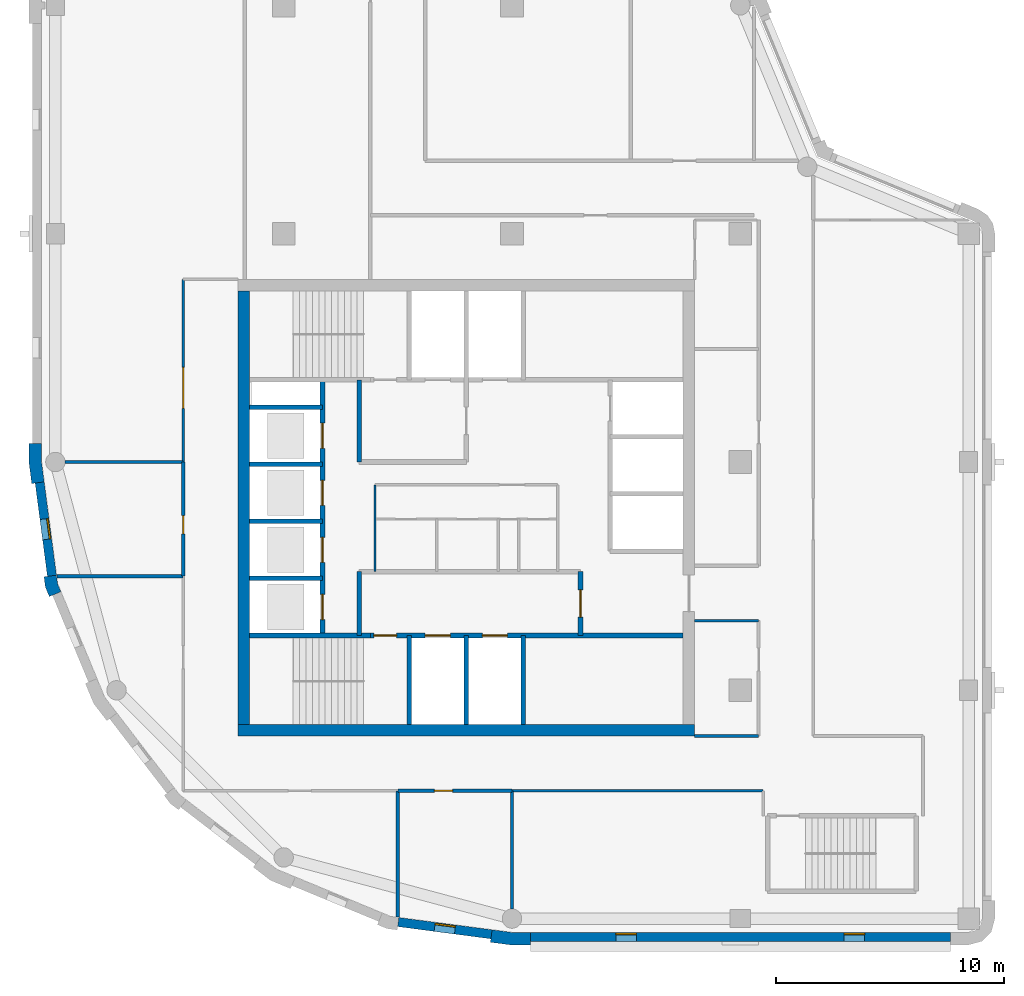
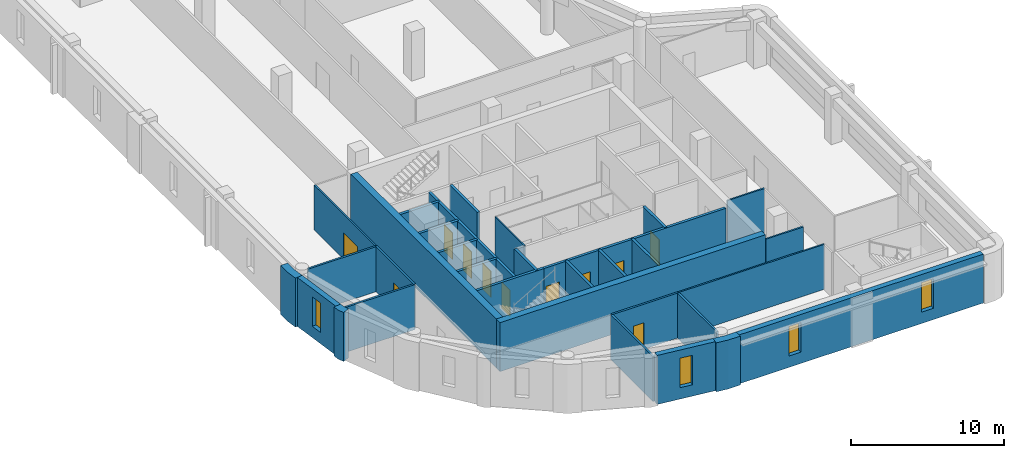
# One storey, part 2 of 8: 32 walls, 11 doors, 4 windows, 15 openings.
"""IFC4 building model written with IfcOpenShell, lengths in metres."""

from ifc_helpers import new_model, si_unit, direction, frame, frame_2d, origin, place, context, subcontext, project, spatial, polyline, rectangle, outline, extrude, material, layer, layer_set, type_object, element, fill, save


model = new_model("IFC4")

# Units and contexts
model_context = context("Model", 3, precision=1e-05, world=origin(), true_north=direction((0.0, 1.0)))
body_context = subcontext(model_context, "Body", "Model", "MODEL_VIEW")
ifc_project = project(units=[si_unit("LENGTHUNIT", "METRE"), si_unit("AREAUNIT", "SQUARE_METRE"), si_unit("VOLUMEUNIT", "CUBIC_METRE"), si_unit("PLANEANGLEUNIT", "RADIAN"), si_unit("MASSUNIT", "GRAM", prefix="KILO")], contexts=[model_context])

# Site, building, storey
site_placement = place(None, origin())
site = spatial("IfcSite", under=ifc_project, at=site_placement, CompositionType="ELEMENT")
building_placement = place(site_placement, origin())
building = spatial("IfcBuilding", under=site, at=building_placement, Name="Qaws Garden Tower", CompositionType="ELEMENT")
storey_placement = place(building_placement, frame((0.0, 0.0, 309.89990234375)))
storey = spatial("IfcBuildingStorey", under=building, at=storey_placement, Name="L75", CompositionType="ELEMENT", Elevation=309.89990234375)

# Wall, openings, windows
ifc_material_1 = material(Name="Buff clay facing brick masonry", Category="masonry")
ifc_layer_1 = layer(ifc_material_1, 0.39990234375)
ifc_layer_set_1 = layer_set([ifc_layer_1], Name="Buff clay facing brick masonry")
wall_type_1 = type_object("IfcWallType", Name="Buff brick infill wall 400", PredefinedType="SOLIDWALL", material=ifc_layer_set_1)
wall_1_placement = place(storey_placement, frame((20.800048828125, -0.800048828125, 0.0), z_axis=(0.0, 0.0, 1.0), x_axis=(1.0, 0.0, 0.0)))
wall_1 = element("IfcWall", 1, at=wall_1_placement, inside=storey, type_object=wall_type_1, Name="E-L75-infill-00", PredefinedType="SOLIDWALL", context=body_context, shape_type="SweptSolid", body=[
    extrude(rectangle(XDim=18.39990234375, YDim=0.39990234375, at=frame_2d((9.199951171875, 0.0))), origin(), (0.0, 0.0, 1.0), 3.900146484375),
])
opening_1_placement = place(wall_1_placement, frame((3.75, 0.0, 0.89990234375)))
opening_1 = element("IfcOpeningElement", 2, at=opening_1_placement, cuts=wall_1, Name="Opening W09", PredefinedType="OPENING", context=body_context, shape_type="SweptSolid", body=[
    extrude(rectangle(XDim=0.89990234375, YDim=2.35009765625, at=frame_2d((0.449951171875, 1.175048828125))), frame((0.0, 0.2099609375, 0.0), z_axis=(0.0, -1.0, 0.0), x_axis=(1.0, 0.0, 0.0)), (0.0, 0.0, 1.0), 0.419921875),
])
opening_2_placement = place(wall_1_placement, frame((13.75, 0.0, 0.89990234375)))
opening_2 = element("IfcOpeningElement", 3, at=opening_2_placement, cuts=wall_1, Name="Opening W09", PredefinedType="OPENING", context=body_context, shape_type="SweptSolid", body=[
    extrude(rectangle(XDim=0.89990234375, YDim=2.35009765625, at=frame_2d((0.449951171875, 1.175048828125))), frame((0.0, 0.2099609375, 0.0), z_axis=(0.0, -1.0, 0.0), x_axis=(1.0, 0.0, 0.0)), (0.0, 0.0, 1.0), 0.419921875),
])
ifc_material_2 = material(Name="Aluminium framed window, clear glazing", Category="aluminium")
window_type = type_object("IfcWindowType", Name="Slit window 900 x 2350", PartitioningType="SINGLE_PANEL", PredefinedType="WINDOW", material=ifc_material_2)
window_1_placement = place(opening_1_placement, origin())
window_1 = element("IfcWindow", 4, at=window_1_placement, inside=storey, type_object=window_type, Name="E-L75-window-00-0", OverallHeight=2.35009765625, OverallWidth=0.89990234375, PartitioningType="SINGLE_PANEL", PredefinedType="WINDOW", context=body_context, shape_type="SweptSolid", body=[
    extrude(rectangle(XDim=0.89990234375, YDim=2.35009765625, at=frame_2d((0.449951171875, 1.175048828125))), frame((0.0, 0.159912109375, 0.0), z_axis=(0.0, -1.0, 0.0), x_axis=(1.0, 0.0, 0.0)), (0.0, 0.0, 1.0), 0.06005859375),
])
fill(opening_1, window_1)
window_2_placement = place(opening_2_placement, origin())
window_2 = element("IfcWindow", 5, at=window_2_placement, inside=storey, type_object=window_type, Name="E-L75-window-01-0", OverallHeight=2.35009765625, OverallWidth=0.89990234375, PartitioningType="SINGLE_PANEL", PredefinedType="WINDOW", context=body_context, shape_type="SweptSolid", body=[
    extrude(rectangle(XDim=0.89990234375, YDim=2.35009765625, at=frame_2d((0.449951171875, 1.175048828125))), frame((0.0, 0.159912109375, 0.0), z_axis=(0.0, -1.0, 0.0), x_axis=(1.0, 0.0, 0.0)), (0.0, 0.0, 1.0), 0.06005859375),
])
fill(opening_2, window_2)

# Wall, opening, window
wall_2_placement = place(storey_placement, frame((-0.688720703125, 19.102294921875, 0.0), z_axis=(0.0, 0.0, 1.0), x_axis=(0.130514280502, -0.991446429508, 0.0)))
wall_2 = element("IfcWall", 6, at=wall_2_placement, inside=storey, type_object=wall_type_1, Name="E-L75-infill-21", PredefinedType="SOLIDWALL", context=body_context, shape_type="SweptSolid", body=[
    extrude(rectangle(XDim=4.120849609375, YDim=0.39990234375, at=frame_2d((2.060546875, 0.0))), origin(), (0.0, 0.0, 1.0), 3.900146484375),
])
opening_3_placement = place(wall_2_placement, frame((1.610595703125, 0.0, 0.89990234375)))
opening_3 = element("IfcOpeningElement", 7, at=opening_3_placement, cuts=wall_2, Name="Opening W09", PredefinedType="OPENING", context=body_context, shape_type="SweptSolid", body=[
    extrude(rectangle(XDim=0.89990234375, YDim=2.35009765625, at=frame_2d((0.449951171875, 1.175048828125))), frame((0.0, 0.2099609375, 0.0), z_axis=(0.0, -1.0, 0.0), x_axis=(1.0, 0.0, 0.0)), (0.0, 0.0, 1.0), 0.419921875),
])
window_3_placement = place(opening_3_placement, origin())
window_3 = element("IfcWindow", 8, at=window_3_placement, inside=storey, type_object=window_type, Name="E-L75-window-21-0", OverallHeight=2.35009765625, OverallWidth=0.89990234375, PartitioningType="SINGLE_PANEL", PredefinedType="WINDOW", context=body_context, shape_type="SweptSolid", body=[
    extrude(rectangle(XDim=0.89990234375, YDim=2.35009765625, at=frame_2d((0.449951171875, 1.175048828125))), frame((0.0, 0.159912109375, 0.0), z_axis=(0.0, -1.0, 0.0), x_axis=(1.0, 0.0, 0.0)), (0.0, 0.0, 1.0), 0.06005859375),
])
fill(opening_3, window_3)

wall_3_placement = place(storey_placement, frame((15.0166015625, -0.15087890625, 0.0), z_axis=(0.0, 0.0, 1.0), x_axis=(0.991446429508, -0.130514280502, 0.0)))
wall_3 = element("IfcWall", 9, at=wall_3_placement, inside=storey, type_object=wall_type_1, Name="E-L75-infill-26", PredefinedType="SOLIDWALL", context=body_context, shape_type="SweptSolid", body=[
    extrude(rectangle(XDim=4.120849609375, YDim=0.39990234375, at=frame_2d((2.060546875, 0.0))), origin(), (0.0, 0.0, 1.0), 3.900146484375),
])
opening_4_placement = place(wall_3_placement, frame((1.610595703125, 0.0, 0.89990234375)))
opening_4 = element("IfcOpeningElement", 10, at=opening_4_placement, cuts=wall_3, Name="Opening W09", PredefinedType="OPENING", context=body_context, shape_type="SweptSolid", body=[
    extrude(rectangle(XDim=0.89990234375, YDim=2.35009765625, at=frame_2d((0.449951171875, 1.175048828125))), frame((0.0, 0.2099609375, 0.0), z_axis=(0.0, -1.0, 0.0), x_axis=(1.0, 0.0, 0.0)), (0.0, 0.0, 1.0), 0.419921875),
])
window_4_placement = place(opening_4_placement, origin())
window_4 = element("IfcWindow", 11, at=window_4_placement, inside=storey, type_object=window_type, Name="E-L75-window-26-0", OverallHeight=2.35009765625, OverallWidth=0.89990234375, PartitioningType="SINGLE_PANEL", PredefinedType="WINDOW", context=body_context, shape_type="SweptSolid", body=[
    extrude(rectangle(XDim=0.89990234375, YDim=2.35009765625, at=frame_2d((0.449951171875, 1.175048828125))), frame((0.0, 0.159912109375, 0.0), z_axis=(0.0, -1.0, 0.0), x_axis=(1.0, 0.0, 0.0)), (0.0, 0.0, 1.0), 0.06005859375),
])
fill(opening_4, window_4)

# Walls
ifc_material_3 = material(Name="Buff clay facing brick masonry", Category="masonry")
ifc_layer_2 = layer(ifc_material_3, 0.550048828125)
ifc_layer_set_2 = layer_set([ifc_layer_2], Name="Buff clay facing brick masonry")
wall_type_2 = type_object("IfcWallType", Name="Buff brick kink pier 550 x 600", PredefinedType="SOLIDWALL", material=ifc_layer_set_2)
placement = place(storey_placement, origin())
element("IfcWall", 12, at=placement, inside=storey, type_object=wall_type_2, Name="E-L75-pier-22", PredefinedType="SOLIDWALL", context=body_context, shape_type="SweptSolid", body=[
    extrude(outline(polyline([(-0.34912109375, 14.990478515625), (-0.497802734375, 14.970947265625), (-0.43896484375, 14.5234375), (-0.26611328125, 14.1064453125), (-0.127685546875, 14.163818359375), (0.241943359375, 14.31689453125), (0.096923828125, 14.6669921875), (0.04736328125, 15.042724609375), (-0.34912109375, 14.990478515625)])), origin(), (0.0, 0.0, 1.0), 3.900146484375),
])
ifc_material_4 = material(Name="Buff clay facing brick masonry", Category="masonry")
ifc_layer_3 = layer(ifc_material_4, 0.550048828125)
ifc_layer_set_3 = layer_set([ifc_layer_3], Name="Buff clay facing brick masonry")
wall_type_3 = type_object("IfcWallType", Name="Buff brick pier 550 x 1600", PredefinedType="SOLIDWALL", material=ifc_layer_set_3)
element("IfcWall", 13, at=placement, inside=storey, type_object=wall_type_3, Name="E-L75-pier-00", PredefinedType="SOLIDWALL", context=body_context, shape_type="SweptSolid", body=[
    extrude(outline(polyline([(19.076416015625, -0.886962890625), (19.056640625, -1.03564453125), (19.924560546875, -1.14990234375), (20.800048828125, -1.14990234375), (20.800048828125, -1.0), (20.800048828125, -0.60009765625), (19.960693359375, -0.60009765625), (19.12841796875, -0.490478515625), (19.076416015625, -0.886962890625)])), origin(), (0.0, 0.0, 1.0), 3.900146484375),
])
element("IfcWall", 14, at=placement, inside=storey, type_object=wall_type_3, Name="E-L75-pier-21", PredefinedType="SOLIDWALL", context=body_context, shape_type="SweptSolid", body=[
    extrude(outline(polyline([(-1.0, 20.800048828125), (-1.14990234375, 20.800048828125), (-1.14990234375, 19.924560546875), (-1.03564453125, 19.056640625), (-0.886962890625, 19.076416015625), (-0.490478515625, 19.12841796875), (-0.60009765625, 19.960693359375), (-0.60009765625, 20.800048828125), (-1.0, 20.800048828125)])), origin(), (0.0, 0.0, 1.0), 3.900146484375),
])
ifc_material_5 = material(Name="Plasterboard")
ifc_layer_4 = layer(ifc_material_5, 0.10009765625)
ifc_layer_set_4 = layer_set([ifc_layer_4], Name="Plasterboard")
wall_type_4 = type_object("IfcWallType", Name="Core partition 100", PredefinedType="PARTITIONING", material=ifc_layer_set_4)
wall_7_placement = place(storey_placement, frame((14.0, 15.199951171875, 0.0), z_axis=(0.0, 0.0, 1.0), x_axis=(0.0, 1.0, 0.0)))
element("IfcWall", 15, at=wall_7_placement, inside=storey, type_object=wall_type_4, Name="Core partition", PredefinedType="PARTITIONING", context=body_context, shape_type="SweptSolid", body=[
    extrude(rectangle(XDim=3.800048828125, YDim=0.10009765625, at=frame_2d((1.89990234375, 0.0))), origin(), (0.0, 0.0, 1.0), 3.580078125),
])
ifc_material_6 = material(Name="Concrete C60", Category="concrete")
ifc_layer_5 = layer(ifc_material_6, 0.199951171875)
ifc_layer_set_5 = layer_set([ifc_layer_5], Name="Concrete C60")
wall_type_5 = type_object("IfcWallType", Name="Core shaft wall 200 C60", PredefinedType="SHEAR", material=ifc_layer_set_5)
wall_8_placement = place(storey_placement, frame((8.5, 12.39990234375, 0.0), z_axis=(0.0, 0.0, 1.0), x_axis=(1.0, 0.0, 0.0)))
element("IfcWall", 16, at=wall_8_placement, inside=storey, type_object=wall_type_5, Name="Shaft wall", PredefinedType="SHEAR", context=body_context, shape_type="SweptSolid", body=[
    extrude(rectangle(XDim=5.300048828125, YDim=0.199951171875, at=frame_2d((2.64990234375, 0.0))), origin(), (0.0, 0.0, 1.0), 3.580078125),
])

# Wall, openings, doors
wall_9_placement = place(storey_placement, frame((13.800048828125, 12.39990234375, 0.0), z_axis=(0.0, 0.0, 1.0), x_axis=(1.0, 0.0, 0.0)))
wall_9 = element("IfcWall", 17, at=wall_9_placement, inside=storey, type_object=wall_type_5, Name="Shaft wall", PredefinedType="SHEAR", context=body_context, shape_type="SweptSolid", body=[
    extrude(rectangle(XDim=13.699951171875, YDim=0.199951171875, at=frame_2d((6.85009765625, 0.0))), origin(), (0.0, 0.0, 1.0), 3.580078125),
])
opening_5_placement = place(wall_9_placement, frame((2.39990234375, 0.0, 0.0)))
opening_5 = element("IfcOpeningElement", 18, at=opening_5_placement, cuts=wall_9, Name="Opening LD06", PredefinedType="OPENING", context=body_context, shape_type="SweptSolid", body=[
    extrude(rectangle(XDim=1.10009765625, YDim=2.10009765625, at=frame_2d((0.550048828125, 1.050048828125))), frame((0.0, 0.10986328125, 0.0), z_axis=(0.0, -1.0, 0.0), x_axis=(1.0, 0.0, 0.0)), (0.0, 0.0, 1.0), 0.219970703125),
])
opening_6_placement = place(wall_9_placement, frame((4.89990234375, 0.0, 0.0)))
opening_6 = element("IfcOpeningElement", 19, at=opening_6_placement, cuts=wall_9, Name="Opening LD07", PredefinedType="OPENING", context=body_context, shape_type="SweptSolid", body=[
    extrude(rectangle(XDim=1.10009765625, YDim=2.10009765625, at=frame_2d((0.550048828125, 1.050048828125))), frame((0.0, 0.10986328125, 0.0), z_axis=(0.0, -1.0, 0.0), x_axis=(1.0, 0.0, 0.0)), (0.0, 0.0, 1.0), 0.219970703125),
])
opening_7_placement = place(wall_9_placement, frame((0.14990234375, 0.0, 0.0)))
opening_7 = element("IfcOpeningElement", 20, at=opening_7_placement, cuts=wall_9, Name="Opening SD10", PredefinedType="OPENING", context=body_context, shape_type="SweptSolid", body=[
    extrude(rectangle(XDim=1.0, YDim=2.10009765625, at=frame_2d((0.5, 1.050048828125))), frame((0.0, 0.10986328125, 0.0), z_axis=(0.0, -1.0, 0.0), x_axis=(1.0, 0.0, 0.0)), (0.0, 0.0, 1.0), 0.219970703125),
])
ifc_material_7 = material(Name="Steel S235", Category="steel")
door_type_1 = type_object("IfcDoorType", Name="Landing door 1100x2100", OperationType="DOUBLE_DOOR_SLIDING", PredefinedType="DOOR", material=ifc_material_7)
door_1_placement = place(opening_5_placement, origin())
door_1 = element("IfcDoor", 21, at=door_1_placement, inside=storey, type_object=door_type_1, Name="Lift FF1 landing door", OperationType="DOUBLE_DOOR_SLIDING", OverallHeight=2.10009765625, OverallWidth=1.10009765625, PredefinedType="DOOR", context=body_context, shape_type="SweptSolid", body=[
    extrude(rectangle(XDim=1.10009765625, YDim=2.10009765625, at=frame_2d((0.550048828125, 1.050048828125))), frame((0.0, 0.02490234375, 0.0), z_axis=(0.0, -1.0, 0.0), x_axis=(1.0, 0.0, 0.0)), (0.0, 0.0, 1.0), 0.050048828125),
])
fill(opening_5, door_1)
door_2_placement = place(opening_6_placement, origin())
door_2 = element("IfcDoor", 22, at=door_2_placement, inside=storey, type_object=door_type_1, Name="Lift FF2 landing door", OperationType="DOUBLE_DOOR_SLIDING", OverallHeight=2.10009765625, OverallWidth=1.10009765625, PredefinedType="DOOR", context=body_context, shape_type="SweptSolid", body=[
    extrude(rectangle(XDim=1.10009765625, YDim=2.10009765625, at=frame_2d((0.550048828125, 1.050048828125))), frame((0.0, 0.02490234375, 0.0), z_axis=(0.0, -1.0, 0.0), x_axis=(1.0, 0.0, 0.0)), (0.0, 0.0, 1.0), 0.050048828125),
])
fill(opening_6, door_2)
ifc_material_8 = material(Name="Steel S235", Category="steel")
door_type_2 = type_object("IfcDoorType", Name="Stair door 1000x2100", OperationType="SINGLE_SWING_RIGHT", PredefinedType="DOOR", material=ifc_material_8)
door_3_placement = place(opening_7_placement, frame((1.0, 0.0, 0.0), z_axis=(0.0, 0.0, 1.0), x_axis=(-1.0, 0.0, 0.0)))
door_3 = element("IfcDoor", 23, at=door_3_placement, inside=storey, type_object=door_type_2, Name="Stair 1 door", OperationType="SINGLE_SWING_LEFT", OverallHeight=2.10009765625, OverallWidth=1.0, PredefinedType="DOOR", context=body_context, shape_type="SweptSolid", body=[
    extrude(rectangle(XDim=1.0, YDim=2.10009765625, at=frame_2d((0.5, 1.050048828125))), frame((0.0, 0.02490234375, 0.0), z_axis=(0.0, -1.0, 0.0), x_axis=(1.0, 0.0, 0.0)), (0.0, 0.0, 1.0), 0.050048828125),
])
fill(opening_7, door_3)

# Walls
for number, where, z_axis, x_axis, name in (
    (24, (8.5, 14.89990234375, 0.0), (0.0, 0.0, 1.0), (1.0, 0.0, 0.0), "Shaft wall"),
    (25, (8.5, 17.39990234375, 0.0), (0.0, 0.0, 1.0), (1.0, 0.0, 0.0), "Shaft wall"),
    (26, (8.5, 19.89990234375, 0.0), (0.0, 0.0, 1.0), (1.0, 0.0, 0.0), "Shaft wall"),
    (27, (8.5, 22.39990234375, 0.0), (0.0, 0.0, 1.0), (1.0, 0.0, 0.0), "Shaft wall"),
):
    element("IfcWall", number, at=place(storey_placement, frame(where, z_axis=z_axis, x_axis=x_axis)), inside=storey, type_object=wall_type_5, Name=name, PredefinedType="SHEAR", context=body_context, shape_type="SweptSolid", body=[
        extrude(rectangle(XDim=3.199951171875, YDim=0.199951171875, at=frame_2d((1.60009765625, 0.0))), origin(), (0.0, 0.0, 1.0), 3.580078125),
    ])

# Wall, openings, doors
wall_10_placement = place(storey_placement, frame((11.699951171875, 12.39990234375, 0.0), z_axis=(0.0, 0.0, 1.0), x_axis=(0.0, 1.0, 0.0)))
wall_10 = element("IfcWall", 28, at=wall_10_placement, inside=storey, type_object=wall_type_5, Name="Shaft wall", PredefinedType="SHEAR", context=body_context, shape_type="SweptSolid", body=[
    extrude(rectangle(XDim=11.2001953125, YDim=0.199951171875, at=frame_2d((5.60009765625, 0.0))), origin(), (0.0, 0.0, 1.0), 3.580078125),
])
opening_8_placement = place(wall_10_placement, frame((0.699951171875, 0.0, 0.0)))
opening_8 = element("IfcOpeningElement", 29, at=opening_8_placement, cuts=wall_10, Name="Opening LD01", PredefinedType="OPENING", context=body_context, shape_type="SweptSolid", body=[
    extrude(rectangle(XDim=1.10009765625, YDim=2.10009765625, at=frame_2d((0.550048828125, 1.050048828125))), frame((0.0, 0.10986328125, 0.0), z_axis=(0.0, -1.0, 0.0), x_axis=(1.0, 0.0, 0.0)), (0.0, 0.0, 1.0), 0.219970703125),
])
opening_9_placement = place(wall_10_placement, frame((3.199951171875, 0.0, 0.0)))
opening_9 = element("IfcOpeningElement", 30, at=opening_9_placement, cuts=wall_10, Name="Opening LD02", PredefinedType="OPENING", context=body_context, shape_type="SweptSolid", body=[
    extrude(rectangle(XDim=1.10009765625, YDim=2.10009765625, at=frame_2d((0.550048828125, 1.050048828125))), frame((0.0, 0.10986328125, 0.0), z_axis=(0.0, -1.0, 0.0), x_axis=(1.0, 0.0, 0.0)), (0.0, 0.0, 1.0), 0.219970703125),
])
opening_10_placement = place(wall_10_placement, frame((5.699951171875, 0.0, 0.0)))
opening_10 = element("IfcOpeningElement", 31, at=opening_10_placement, cuts=wall_10, Name="Opening LD03", PredefinedType="OPENING", context=body_context, shape_type="SweptSolid", body=[
    extrude(rectangle(XDim=1.10009765625, YDim=2.10009765625, at=frame_2d((0.550048828125, 1.050048828125))), frame((0.0, 0.10986328125, 0.0), z_axis=(0.0, -1.0, 0.0), x_axis=(1.0, 0.0, 0.0)), (0.0, 0.0, 1.0), 0.219970703125),
])
opening_11_placement = place(wall_10_placement, frame((8.199951171875, 0.0, 0.0)))
opening_11 = element("IfcOpeningElement", 32, at=opening_11_placement, cuts=wall_10, Name="Opening LD04", PredefinedType="OPENING", context=body_context, shape_type="SweptSolid", body=[
    extrude(rectangle(XDim=1.10009765625, YDim=2.10009765625, at=frame_2d((0.550048828125, 1.050048828125))), frame((0.0, 0.10986328125, 0.0), z_axis=(0.0, -1.0, 0.0), x_axis=(1.0, 0.0, 0.0)), (0.0, 0.0, 1.0), 0.219970703125),
])
door_4_placement = place(opening_8_placement, origin())
door_4 = element("IfcDoor", 33, at=door_4_placement, inside=storey, type_object=door_type_1, Name="Lift W1 landing door", OperationType="DOUBLE_DOOR_SLIDING", OverallHeight=2.10009765625, OverallWidth=1.10009765625, PredefinedType="DOOR", context=body_context, shape_type="SweptSolid", body=[
    extrude(rectangle(XDim=1.10009765625, YDim=2.10009765625, at=frame_2d((0.550048828125, 1.050048828125))), frame((0.0, 0.02490234375, 0.0), z_axis=(0.0, -1.0, 0.0), x_axis=(1.0, 0.0, 0.0)), (0.0, 0.0, 1.0), 0.050048828125),
])
fill(opening_8, door_4)
door_5_placement = place(opening_9_placement, origin())
door_5 = element("IfcDoor", 34, at=door_5_placement, inside=storey, type_object=door_type_1, Name="Lift W2 landing door", OperationType="DOUBLE_DOOR_SLIDING", OverallHeight=2.10009765625, OverallWidth=1.10009765625, PredefinedType="DOOR", context=body_context, shape_type="SweptSolid", body=[
    extrude(rectangle(XDim=1.10009765625, YDim=2.10009765625, at=frame_2d((0.550048828125, 1.050048828125))), frame((0.0, 0.02490234375, 0.0), z_axis=(0.0, -1.0, 0.0), x_axis=(1.0, 0.0, 0.0)), (0.0, 0.0, 1.0), 0.050048828125),
])
fill(opening_9, door_5)
door_6_placement = place(opening_10_placement, origin())
door_6 = element("IfcDoor", 35, at=door_6_placement, inside=storey, type_object=door_type_1, Name="Lift W3 landing door", OperationType="DOUBLE_DOOR_SLIDING", OverallHeight=2.10009765625, OverallWidth=1.10009765625, PredefinedType="DOOR", context=body_context, shape_type="SweptSolid", body=[
    extrude(rectangle(XDim=1.10009765625, YDim=2.10009765625, at=frame_2d((0.550048828125, 1.050048828125))), frame((0.0, 0.02490234375, 0.0), z_axis=(0.0, -1.0, 0.0), x_axis=(1.0, 0.0, 0.0)), (0.0, 0.0, 1.0), 0.050048828125),
])
fill(opening_10, door_6)
door_7_placement = place(opening_11_placement, origin())
door_7 = element("IfcDoor", 36, at=door_7_placement, inside=storey, type_object=door_type_1, Name="Lift W4 landing door", OperationType="DOUBLE_DOOR_SLIDING", OverallHeight=2.10009765625, OverallWidth=1.10009765625, PredefinedType="DOOR", context=body_context, shape_type="SweptSolid", body=[
    extrude(rectangle(XDim=1.10009765625, YDim=2.10009765625, at=frame_2d((0.550048828125, 1.050048828125))), frame((0.0, 0.02490234375, 0.0), z_axis=(0.0, -1.0, 0.0), x_axis=(1.0, 0.0, 0.0)), (0.0, 0.0, 1.0), 0.050048828125),
])
fill(opening_11, door_7)

# Walls
wall_11_placement = place(storey_placement, frame((13.300048828125, 12.39990234375, 0.0), z_axis=(0.0, 0.0, 1.0), x_axis=(0.0, 1.0, 0.0)))
element("IfcWall", 37, at=wall_11_placement, inside=storey, type_object=wall_type_5, Name="Shaft wall", PredefinedType="SHEAR", context=body_context, shape_type="SweptSolid", body=[
    extrude(rectangle(XDim=2.800048828125, YDim=0.199951171875, at=frame_2d((1.39990234375, 0.0))), origin(), (0.0, 0.0, 1.0), 3.580078125),
])
wall_12_placement = place(storey_placement, frame((13.300048828125, 20.0, 0.0), z_axis=(0.0, 0.0, 1.0), x_axis=(0.0, 1.0, 0.0)))
element("IfcWall", 38, at=wall_12_placement, inside=storey, type_object=wall_type_5, Name="Shaft wall", PredefinedType="SHEAR", context=body_context, shape_type="SweptSolid", body=[
    extrude(rectangle(XDim=3.60009765625, YDim=0.199951171875, at=frame_2d((1.800048828125, 0.0))), origin(), (0.0, 0.0, 1.0), 3.580078125),
])
for number, where, z_axis, x_axis, name in (
    (39, (15.5, 8.5, 0.0), (0.0, 0.0, 1.0), (0.0, 1.0, 0.0), "Shaft wall"),
    (40, (18.0, 8.5, 0.0), (0.0, 0.0, 1.0), (0.0, 1.0, 0.0), "Shaft wall"),
    (41, (20.5, 8.5, 0.0), (0.0, 0.0, 1.0), (0.0, 1.0, 0.0), "Shaft wall"),
):
    element("IfcWall", number, at=place(storey_placement, frame(where, z_axis=z_axis, x_axis=x_axis)), inside=storey, type_object=wall_type_5, Name=name, PredefinedType="SHEAR", context=body_context, shape_type="SweptSolid", body=[
        extrude(rectangle(XDim=3.89990234375, YDim=0.199951171875, at=frame_2d((1.949951171875, 0.0))), origin(), (0.0, 0.0, 1.0), 3.580078125),
    ])

# Wall, opening, door
wall_13_placement = place(storey_placement, frame((23.0, 12.39990234375, 0.0), z_axis=(0.0, 0.0, 1.0), x_axis=(0.0, 1.0, 0.0)))
wall_13 = element("IfcWall", 42, at=wall_13_placement, inside=storey, type_object=wall_type_5, Name="Shaft wall", PredefinedType="SHEAR", context=body_context, shape_type="SweptSolid", body=[
    extrude(rectangle(XDim=2.800048828125, YDim=0.199951171875, at=frame_2d((1.39990234375, 0.0))), origin(), (0.0, 0.0, 1.0), 3.580078125),
])
opening_12_placement = place(wall_13_placement, frame((0.800048828125, 0.0, 0.0)))
opening_12 = element("IfcOpeningElement", 43, at=opening_12_placement, cuts=wall_13, Name="Opening FD15", PredefinedType="OPENING", context=body_context, shape_type="SweptSolid", body=[
    extrude(rectangle(XDim=1.199951171875, YDim=2.10009765625, at=frame_2d((0.60009765625, 1.050048828125))), frame((0.0, 0.10986328125, 0.0), z_axis=(0.0, -1.0, 0.0), x_axis=(1.0, 0.0, 0.0)), (0.0, 0.0, 1.0), 0.219970703125),
])
ifc_material_9 = material(Name="Steel S235", Category="steel")
door_type_3 = type_object("IfcDoorType", Name="Lobby door 1200x2100", OperationType="DOUBLE_DOOR_SINGLE_SWING", PredefinedType="DOOR", material=ifc_material_9)
door_8_placement = place(opening_12_placement, origin())
door_8 = element("IfcDoor", 44, at=door_8_placement, inside=storey, type_object=door_type_3, Name="Fire-fighting lobby door", OperationType="DOUBLE_DOOR_SINGLE_SWING", OverallHeight=2.10009765625, OverallWidth=1.199951171875, PredefinedType="DOOR", context=body_context, shape_type="SweptSolid", body=[
    extrude(rectangle(XDim=1.199951171875, YDim=2.10009765625, at=frame_2d((0.60009765625, 1.050048828125))), frame((0.0, 0.02490234375, 0.0), z_axis=(0.0, -1.0, 0.0), x_axis=(1.0, 0.0, 0.0)), (0.0, 0.0, 1.0), 0.050048828125),
])
fill(opening_12, door_8)

# Walls
ifc_material_10 = material(Name="Concrete C60", Category="concrete")
ifc_layer_6 = layer(ifc_material_10, 0.5)
ifc_layer_set_6 = layer_set([ifc_layer_6], Name="Concrete C60")
wall_type_6 = type_object("IfcWallType", Name="Core wall 500 C60", PredefinedType="SHEAR", material=ifc_layer_set_6)
wall_14_placement = place(storey_placement, frame((8.0, 8.25, 0.0), z_axis=(0.0, 0.0, 1.0), x_axis=(1.0, 0.0, 0.0)))
element("IfcWall", 45, at=wall_14_placement, inside=storey, type_object=wall_type_6, Name="Core wall L75 south", PredefinedType="SHEAR", context=body_context, shape_type="SweptSolid", body=[
    extrude(rectangle(XDim=20.0, YDim=0.5, at=frame_2d((10.0, 0.0))), origin(), (0.0, 0.0, 1.0), 3.900146484375),
])
wall_15_placement = place(storey_placement, frame((8.25, 27.5, 0.0), z_axis=(0.0, 0.0, 1.0), x_axis=(0.0, -1.0, 0.0)))
element("IfcWall", 46, at=wall_15_placement, inside=storey, type_object=wall_type_6, Name="Core wall L75 west", PredefinedType="SHEAR", context=body_context, shape_type="SweptSolid", body=[
    extrude(rectangle(XDim=19.0, YDim=0.5, at=frame_2d((9.5, 0.0))), origin(), (0.0, 0.0, 1.0), 3.900146484375),
])

# Wall, opening, door
ifc_material_11 = material(Name="Glass and aluminium framing", Category="aluminium")
ifc_layer_7 = layer(ifc_material_11, 0.1201171875)
ifc_layer_set_7 = layer_set([ifc_layer_7], Name="Glass and aluminium framing")
wall_type_7 = type_object("IfcWallType", Name="GLAZED PARTITION 120 EI 30", PredefinedType="PARTITIONING", material=ifc_layer_set_7)
wall_16_placement = place(storey_placement, frame((5.60009765625, 20.0, 0.0), z_axis=(0.0, 0.0, 1.0), x_axis=(0.0, 1.0, 0.0)))
wall_16 = element("IfcWall", 47, at=wall_16_placement, inside=storey, type_object=wall_type_7, Name="O-L75-wall-028", PredefinedType="PARTITIONING", context=body_context, shape_type="SweptSolid", body=[
    extrude(rectangle(XDim=8.0, YDim=0.1201171875, at=frame_2d((4.0, 0.0))), origin(), (0.0, 0.0, 1.0), 3.580078125),
])
opening_13_placement = place(wall_16_placement, frame((2.35009765625, 0.0, 0.0)))
opening_13 = element("IfcOpeningElement", 48, at=opening_13_placement, cuts=wall_16, Name="Opening C714", PredefinedType="OPENING", context=body_context, shape_type="SweptSolid", body=[
    extrude(rectangle(XDim=1.800048828125, YDim=2.10009765625, at=frame_2d((0.89990234375, 1.050048828125))), frame((0.0, 0.070068359375, 0.0), z_axis=(0.0, -1.0, 0.0), x_axis=(1.0, 0.0, 0.0)), (0.0, 0.0, 1.0), 0.14013671875),
])
ifc_material_12 = material(Name="Timber door leaf", Category="wood")
door_type_4 = type_object("IfcDoorType", Name="DOUBLE DOOR 1800 X 2100", OperationType="DOUBLE_DOOR_SINGLE_SWING", PredefinedType="DOOR", material=ifc_material_12)
door_9_placement = place(opening_13_placement, origin())
door_9 = element("IfcDoor", 49, at=door_9_placement, inside=storey, type_object=door_type_4, Name="O-L75-door-014", OperationType="DOUBLE_DOOR_SINGLE_SWING", OverallHeight=2.10009765625, OverallWidth=1.800048828125, PredefinedType="DOOR", context=body_context, shape_type="SweptSolid", body=[
    extrude(rectangle(XDim=1.800048828125, YDim=2.10009765625, at=frame_2d((0.89990234375, 1.050048828125))), frame((0.0, 0.02490234375, 0.0), z_axis=(0.0, -1.0, 0.0), x_axis=(1.0, 0.0, 0.0)), (0.0, 0.0, 1.0), 0.050048828125),
])
fill(opening_13, door_9)

# Walls
wall_17_placement = place(storey_placement, frame((20.0, 5.60009765625, 0.0), z_axis=(0.0, 0.0, 1.0), x_axis=(1.0, 0.0, 0.0)))
element("IfcWall", 50, at=wall_17_placement, inside=storey, type_object=wall_type_7, Name="O-L75-wall-037", PredefinedType="PARTITIONING", context=body_context, shape_type="SweptSolid", body=[
    extrude(rectangle(XDim=11.0, YDim=0.1201171875, at=frame_2d((5.5, 0.0))), origin(), (0.0, 0.0, 1.0), 3.580078125),
])
for number, where, z_axis, x_axis, name in (
    (51, (28.0, 8.0, 0.0), (0.0, 0.0, 1.0), (1.0, 0.0, 0.0), "O-L75-wall-038"),
    (52, (28.0, 13.050048828125, 0.0), (0.0, 0.0, 1.0), (1.0, 0.0, 0.0), "O-L75-wall-040"),
):
    element("IfcWall", number, at=place(storey_placement, frame(where, z_axis=z_axis, x_axis=x_axis)), inside=storey, type_object=wall_type_7, Name=name, PredefinedType="PARTITIONING", context=body_context, shape_type="SweptSolid", body=[
        extrude(rectangle(XDim=2.800048828125, YDim=0.1201171875, at=frame_2d((1.39990234375, 0.0))), origin(), (0.0, 0.0, 1.0), 3.580078125),
    ])

# Wall, opening, door
ifc_material_13 = material(Name="Gypsum board partition")
ifc_layer_8 = layer(ifc_material_13, 0.14990234375)
ifc_layer_set_8 = layer_set([ifc_layer_8], Name="Gypsum board partition")
wall_type_8 = type_object("IfcWallType", Name="PARTITION 150 EI 60", PredefinedType="PARTITIONING", material=ifc_layer_set_8)
wall_18_placement = place(storey_placement, frame((5.60009765625, 15.0, 0.0), z_axis=(0.0, 0.0, 1.0), x_axis=(0.0, 1.0, 0.0)))
wall_18 = element("IfcWall", 53, at=wall_18_placement, inside=storey, type_object=wall_type_8, Name="O-L75-wall-004", PredefinedType="PARTITIONING", context=body_context, shape_type="SweptSolid", body=[
    extrude(rectangle(XDim=5.0, YDim=0.14990234375, at=frame_2d((2.5, 0.0))), origin(), (0.0, 0.0, 1.0), 3.580078125),
])
opening_14_placement = place(wall_18_placement, frame((1.85009765625, 0.0, 0.0)))
opening_14 = element("IfcOpeningElement", 54, at=opening_14_placement, cuts=wall_18, Name="Opening C702", PredefinedType="OPENING", context=body_context, shape_type="SweptSolid", body=[
    extrude(rectangle(XDim=0.800048828125, YDim=2.10009765625, at=frame_2d((0.39990234375, 1.050048828125))), frame((0.0, 0.0849609375, 0.0), z_axis=(0.0, -1.0, 0.0), x_axis=(1.0, 0.0, 0.0)), (0.0, 0.0, 1.0), 0.169921875),
])
ifc_material_14 = material(Name="Timber door leaf", Category="wood")
door_type_5 = type_object("IfcDoorType", Name="STORE DOOR 800 X 2100", OperationType="SINGLE_SWING_LEFT", PredefinedType="DOOR", material=ifc_material_14)
door_10_placement = place(opening_14_placement, origin())
door_10 = element("IfcDoor", 55, at=door_10_placement, inside=storey, type_object=door_type_5, Name="O-L75-door-002", OperationType="SINGLE_SWING_RIGHT", OverallHeight=2.10009765625, OverallWidth=0.800048828125, PredefinedType="DOOR", context=body_context, shape_type="SweptSolid", body=[
    extrude(rectangle(XDim=0.800048828125, YDim=2.10009765625, at=frame_2d((0.39990234375, 1.050048828125))), frame((0.0, 0.02490234375, 0.0), z_axis=(0.0, -1.0, 0.0), x_axis=(1.0, 0.0, 0.0)), (0.0, 0.0, 1.0), 0.050048828125),
])
fill(opening_14, door_10)

# Walls
wall_19_placement = place(storey_placement, frame((15.0, 0.06298828125, 0.0), z_axis=(0.0, 0.0, 1.0), x_axis=(0.0, 1.0, 0.0)))
element("IfcWall", 56, at=wall_19_placement, inside=storey, type_object=wall_type_8, Name="O-L75-wall-007", PredefinedType="PARTITIONING", context=body_context, shape_type="SweptSolid", body=[
    extrude(rectangle(XDim=5.537109375, YDim=0.14990234375, at=frame_2d((2.7685546875, 0.0))), origin(), (0.0, 0.0, 1.0), 3.580078125),
])
wall_20_placement = place(storey_placement, frame((20.0, 0.425048828125, 0.0), z_axis=(0.0, 0.0, 1.0), x_axis=(0.0, 1.0, 0.0)))
element("IfcWall", 57, at=wall_20_placement, inside=storey, type_object=wall_type_8, Name="O-L75-wall-009", PredefinedType="PARTITIONING", context=body_context, shape_type="SweptSolid", body=[
    extrude(rectangle(XDim=5.175048828125, YDim=0.14990234375, at=frame_2d((2.58740234375, 0.0))), origin(), (0.0, 0.0, 1.0), 3.580078125),
])

# Wall, opening, door
wall_21_placement = place(storey_placement, frame((15.0, 5.60009765625, 0.0), z_axis=(0.0, 0.0, 1.0), x_axis=(1.0, 0.0, 0.0)))
wall_21 = element("IfcWall", 58, at=wall_21_placement, inside=storey, type_object=wall_type_8, Name="O-L75-wall-015", PredefinedType="PARTITIONING", context=body_context, shape_type="SweptSolid", body=[
    extrude(rectangle(XDim=5.0, YDim=0.14990234375, at=frame_2d((2.5, 0.0))), origin(), (0.0, 0.0, 1.0), 3.580078125),
])
opening_15_placement = place(wall_21_placement, frame((1.60009765625, 0.0, 0.0)))
opening_15 = element("IfcOpeningElement", 59, at=opening_15_placement, cuts=wall_21, Name="Opening C709", PredefinedType="OPENING", context=body_context, shape_type="SweptSolid", body=[
    extrude(rectangle(XDim=0.800048828125, YDim=2.10009765625, at=frame_2d((0.39990234375, 1.050048828125))), frame((0.0, 0.0849609375, 0.0), z_axis=(0.0, -1.0, 0.0), x_axis=(1.0, 0.0, 0.0)), (0.0, 0.0, 1.0), 0.169921875),
])
door_11_placement = place(opening_15_placement, frame((0.800048828125, 0.0, 0.0), z_axis=(0.0, 0.0, 1.0), x_axis=(-1.0, 0.0, 0.0)))
door_11 = element("IfcDoor", 60, at=door_11_placement, inside=storey, type_object=door_type_5, Name="O-L75-door-009", OperationType="SINGLE_SWING_LEFT", OverallHeight=2.10009765625, OverallWidth=0.800048828125, PredefinedType="DOOR", context=body_context, shape_type="SweptSolid", body=[
    extrude(rectangle(XDim=0.800048828125, YDim=2.10009765625, at=frame_2d((0.39990234375, 1.050048828125))), frame((0.0, 0.02490234375, 0.0), z_axis=(0.0, -1.0, 0.0), x_axis=(1.0, 0.0, 0.0)), (0.0, 0.0, 1.0), 0.050048828125),
])
fill(opening_15, door_11)

# Walls
wall_22_placement = place(storey_placement, frame((0.06298828125, 15.0, 0.0), z_axis=(0.0, 0.0, 1.0), x_axis=(1.0, 0.0, 0.0)))
element("IfcWall", 61, at=wall_22_placement, inside=storey, type_object=wall_type_8, Name="O-L75-wall-016", PredefinedType="PARTITIONING", context=body_context, shape_type="SweptSolid", body=[
    extrude(rectangle(XDim=5.537109375, YDim=0.14990234375, at=frame_2d((2.7685546875, 0.0))), origin(), (0.0, 0.0, 1.0), 3.580078125),
])
wall_23_placement = place(storey_placement, frame((0.425048828125, 20.0, 0.0), z_axis=(0.0, 0.0, 1.0), x_axis=(1.0, 0.0, 0.0)))
element("IfcWall", 62, at=wall_23_placement, inside=storey, type_object=wall_type_8, Name="O-L75-wall-018", PredefinedType="PARTITIONING", context=body_context, shape_type="SweptSolid", body=[
    extrude(rectangle(XDim=5.175048828125, YDim=0.14990234375, at=frame_2d((2.58740234375, 0.0))), origin(), (0.0, 0.0, 1.0), 3.580078125),
])

save(model, "model.ifc")
